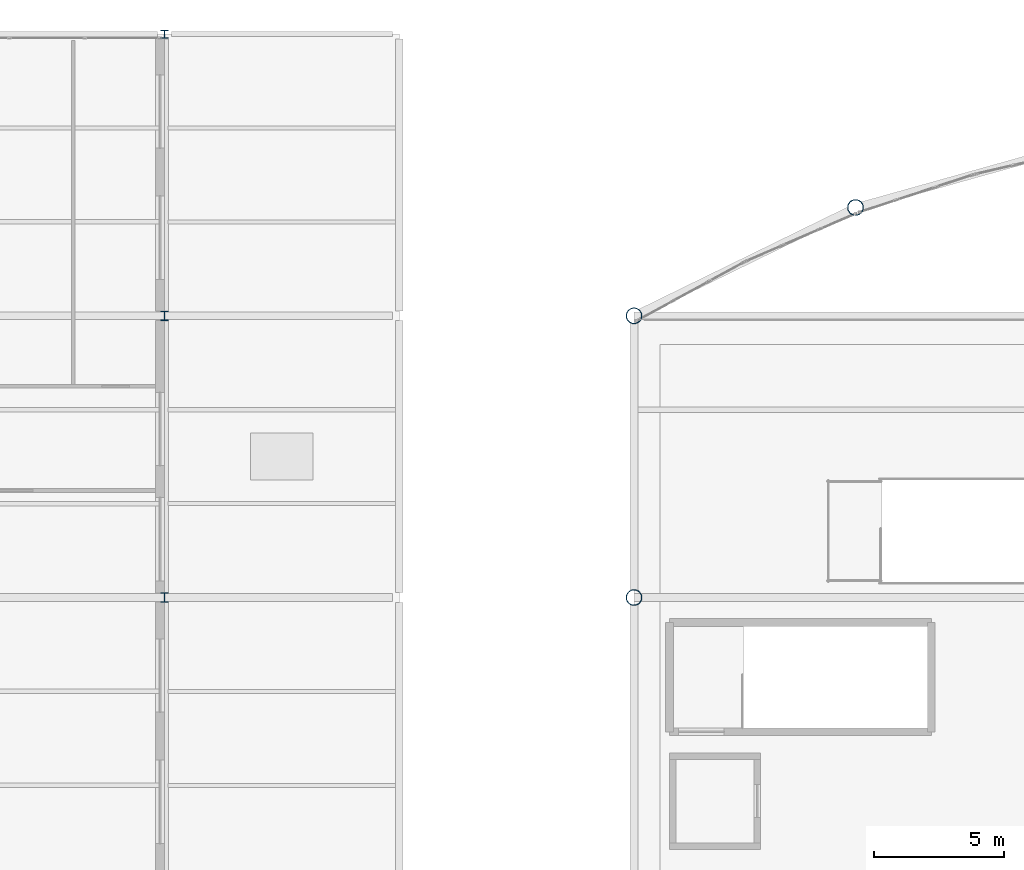
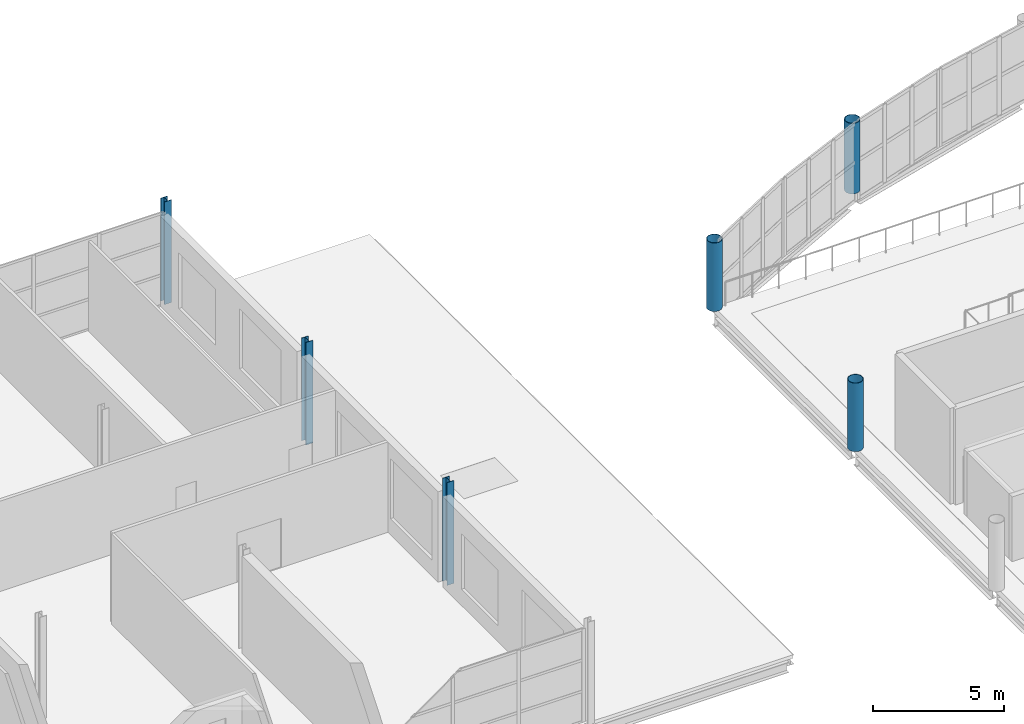
# One storey, part 10 of 134: 6 columns.
"""IFC4 building model written with IfcOpenShell, lengths in metres."""

from ifc_helpers import new_model, si_unit, direction, frame, origin, origin_2d, place, context, subcontext, project, spatial, hollow_circle, i_section, extrude, material, material_profile, profile_set, type_object, element, save


model = new_model("IFC4")

# Units and contexts
model_context = context("Model", 3, precision=1e-05, world=origin(), true_north=direction((0.0, 1.0)))
body_context = subcontext(model_context, "Body", "Model", "MODEL_VIEW")
ifc_project = project(units=[si_unit("LENGTHUNIT", "METRE"), si_unit("AREAUNIT", "SQUARE_METRE"), si_unit("VOLUMEUNIT", "CUBIC_METRE"), si_unit("PLANEANGLEUNIT", "RADIAN"), si_unit("MASSUNIT", "GRAM", prefix="KILO")], contexts=[model_context])

# Site, building, storey
site_placement = place(None, origin())
site = spatial("IfcSite", under=ifc_project, at=site_placement, CompositionType="ELEMENT")
building_placement = place(site_placement, origin())
building = spatial("IfcBuilding", under=site, at=building_placement, Name="Tamarisk Ironworks Central Station", CompositionType="ELEMENT")
storey_placement = place(building_placement, frame((0.0, 0.0, 12.60009765625)))
storey = spatial("IfcBuildingStorey", under=building, at=storey_placement, Name="L02", CompositionType="ELEMENT", Elevation=12.60009765625)

# Columns
ifc_material_1 = material(Name="Structural steel S355J2", Category="steel")
ifc_material_profile_1 = material_profile(ifc_material_1, i_section(OverallWidth=0.300048828125, OverallDepth=0.360107421875, WebThickness=0.012451171875, FlangeThickness=0.0224609375, at=origin_2d()), Name="HEB 360")
ifc_profile_set_1 = profile_set([ifc_material_profile_1], Name="Structural steel S355J2")
column_type_1 = type_object("IfcColumnType", Name="COL-S10", PredefinedType="COLUMN", material=ifc_profile_set_1)
for number, where, z_axis, x_axis, name in (
    (1, (36.0, 100.800048828125, 0.0), (0.0, 0.0, 1.0), (1.0, 0.0, 0.0), "L02 column V4-05J"),
    (2, (36.0, 111.60009765625, 0.0), (0.0, 0.0, 1.0), (1.0, 0.0, 0.0), "L02 column V4-05L"),
):
    element("IfcColumn", number, at=place(storey_placement, frame(where, z_axis=z_axis, x_axis=x_axis)), inside=storey, type_object=column_type_1, Name=name, PredefinedType="COLUMN", context=body_context, shape_type="SweptSolid", body=[
        extrude(i_section(OverallWidth=0.300048828125, OverallDepth=0.360107421875, WebThickness=0.012451171875, FlangeThickness=0.0224609375, at=origin_2d()), origin(), (0.0, 0.0, 1.0), 4.7998046875),
    ])
ifc_material_profile_2 = material_profile(ifc_material_1, i_section(OverallWidth=0.300048828125, OverallDepth=0.300048828125, WebThickness=0.010986328125, FlangeThickness=0.01904296875, at=origin_2d()), Name="HEB 300")
ifc_profile_set_2 = profile_set([ifc_material_profile_2], Name="Structural steel S355J2")
column_type_2 = type_object("IfcColumnType", Name="COL-S12", PredefinedType="COLUMN", material=ifc_profile_set_2)
column_1_placement = place(storey_placement, frame((36.0, 122.39990234375, 0.0), z_axis=(0.0, 0.0, 1.0), x_axis=(1.0, 0.0, 0.0)))
element("IfcColumn", 3, at=column_1_placement, inside=storey, type_object=column_type_2, Name="L02 column V4-05N", PredefinedType="COLUMN", context=body_context, shape_type="SweptSolid", body=[
    extrude(i_section(OverallWidth=0.300048828125, OverallDepth=0.300048828125, WebThickness=0.010986328125, FlangeThickness=0.01904296875, at=origin_2d()), origin(), (0.0, 0.0, 1.0), 4.7998046875),
])
ifc_material_2 = material(Name="Painted structural steel S355J2", Category="steel")
ifc_material_profile_3 = material_profile(ifc_material_2, hollow_circle(Radius=0.304931640625, WallThickness=0.02001953125, at=origin_2d()), Name="CHS 610x20")
ifc_profile_set_3 = profile_set([ifc_material_profile_3], Name="Painted structural steel S355J2")
column_type_3 = type_object("IfcColumnType", Name="COL-S15", PredefinedType="COLUMN", material=ifc_profile_set_3)
for number, where, z_axis, x_axis, name in (
    (4, (54.0, 100.800048828125, 0.0), (0.0, 0.0, 1.0), (1.0, 0.0, 0.0), "L02 column V2-07J"),
    (5, (54.0, 111.60009765625, 0.0), (0.0, 0.0, 1.0), (1.0, 0.0, 0.0), "L02 column V2-07L"),
):
    element("IfcColumn", number, at=place(storey_placement, frame(where, z_axis=z_axis, x_axis=x_axis)), inside=storey, type_object=column_type_3, Name=name, PredefinedType="COLUMN", context=body_context, shape_type="SweptSolid", body=[
        extrude(hollow_circle(Radius=0.304931640625, WallThickness=0.02001953125, at=origin_2d()), origin(), (0.0, 0.0, 1.0), 3.199951171875),
    ])
column_2_placement = place(storey_placement, frame((62.48876953125, 115.752685546875, 0.0), z_axis=(0.0, 0.0, 1.0), x_axis=(1.0, 0.0, 0.0)))
element("IfcColumn", 6, at=column_2_placement, inside=storey, type_object=column_type_3, Name="L02 column V2-NN02", PredefinedType="COLUMN", context=body_context, shape_type="SweptSolid", body=[
    extrude(hollow_circle(Radius=0.304931640625, WallThickness=0.02001953125, at=origin_2d()), origin(), (0.0, 0.0, 1.0), 3.2998046875),
])

save(model, "model.ifc")
